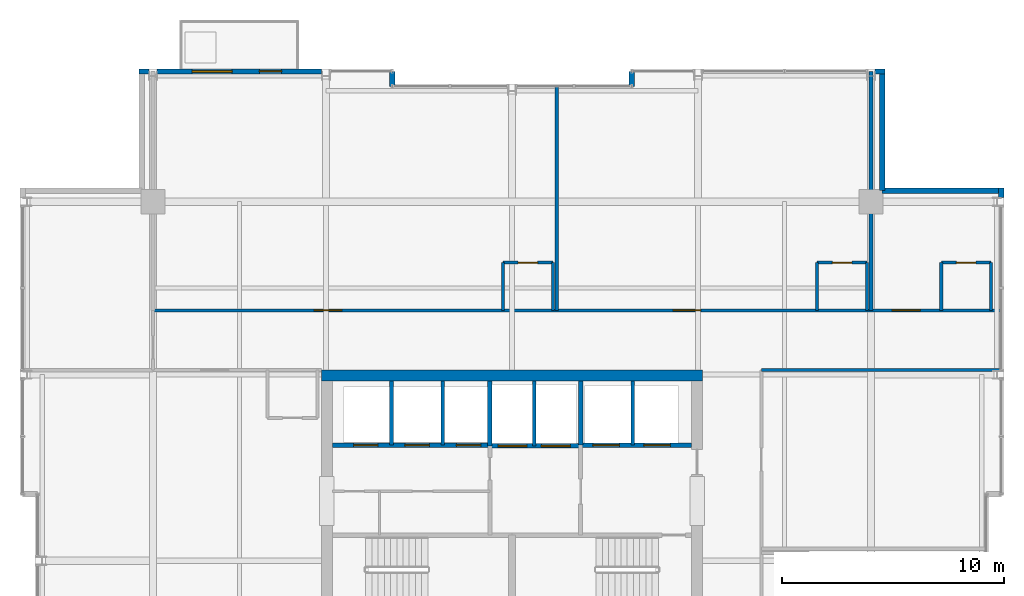
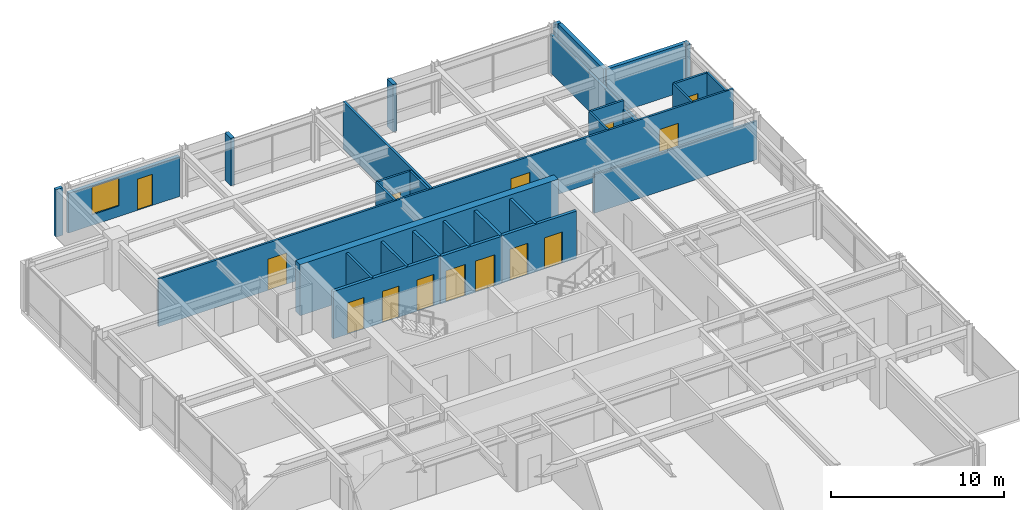
# One storey, part 28 of 32: 31 walls, 14 doors, 1 window, 15 openings.
"""IFC4 building model written with IfcOpenShell, lengths in metres."""

from ifc_helpers import new_model, si_unit, direction, frame, frame_2d, origin, place, context, subcontext, project, spatial, rectangle, extrude, material, layer, layer_set, type_object, element, fill, save


model = new_model("IFC4")

# Units and contexts
model_context = context("Model", 3, precision=1e-05, world=origin(), true_north=direction((0.0, 1.0)))
body_context = subcontext(model_context, "Body", "Model", "MODEL_VIEW")
ifc_project = project(units=[si_unit("LENGTHUNIT", "METRE"), si_unit("AREAUNIT", "SQUARE_METRE"), si_unit("VOLUMEUNIT", "CUBIC_METRE"), si_unit("PLANEANGLEUNIT", "RADIAN"), si_unit("MASSUNIT", "GRAM", prefix="KILO")], contexts=[model_context])

# Site, building, storey
site_placement = place(None, origin())
site = spatial("IfcSite", under=ifc_project, at=site_placement, CompositionType="ELEMENT")
building_placement = place(site_placement, origin())
building = spatial("IfcBuilding", under=site, at=building_placement, Name="Drelvath Grand Hotel", CompositionType="ELEMENT")
storey_placement = place(building_placement, frame((0.0, 0.0, 223.10009765625)))
storey = spatial("IfcBuildingStorey", under=building, at=storey_placement, Name="L58", CompositionType="ELEMENT", Elevation=223.10009765625)

# Wall, openings, doors
ifc_material_1 = material(Name="Concrete C40/50", Category="concrete")
ifc_layer_1 = layer(ifc_material_1, 0.199951171875)
ifc_layer_set_1 = layer_set([ifc_layer_1], Name="Concrete C40/50")
wall_type_1 = type_object("IfcWallType", Name="Core Hoistway Fire Wall 200", PredefinedType="SOLIDWALL", material=ifc_layer_set_1)
wall_1_placement = place(storey_placement, frame((3.10009765625, 32.219970703125, 0.0), z_axis=(0.0, 0.0, 1.0), x_axis=(1.0, 0.0, 0.0)))
wall_1 = element("IfcWall", 1, at=wall_1_placement, inside=storey, type_object=wall_type_1, Name="L58 FSAE Hoistway Front Wall", PredefinedType="SOLIDWALL", context=body_context, shape_type="SweptSolid", body=[
    extrude(rectangle(XDim=5.0, YDim=0.199951171875, at=frame_2d((2.5, 0.0))), origin(), (0.0, 0.0, 1.0), 3.33984375),
])
opening_1_placement = place(wall_1_placement, frame((0.550048828125, 0.0, 0.0)))
opening_1 = element("IfcOpeningElement", 2, at=opening_1_placement, cuts=wall_1, Name="Opening LD-FSAE-1", PredefinedType="OPENING", context=body_context, shape_type="SweptSolid", body=[
    extrude(rectangle(XDim=1.199951171875, YDim=2.199951171875, at=frame_2d((0.60009765625, 1.10009765625))), frame((0.0, 0.10986328125, 0.0), z_axis=(0.0, -1.0, 0.0), x_axis=(1.0, 0.0, 0.0)), (0.0, 0.0, 1.0), 0.219970703125),
])
opening_2_placement = place(wall_1_placement, frame((2.85009765625, 0.0, 0.0)))
opening_2 = element("IfcOpeningElement", 3, at=opening_2_placement, cuts=wall_1, Name="Opening LD-FSAE-2", PredefinedType="OPENING", context=body_context, shape_type="SweptSolid", body=[
    extrude(rectangle(XDim=1.199951171875, YDim=2.199951171875, at=frame_2d((0.60009765625, 1.10009765625))), frame((0.0, 0.10986328125, 0.0), z_axis=(0.0, -1.0, 0.0), x_axis=(1.0, 0.0, 0.0)), (0.0, 0.0, 1.0), 0.219970703125),
])
ifc_material_2 = material(Name="Stainless Steel S355", Category="steel")
door_type_1 = type_object("IfcDoorType", Name="FSAE Lift Sliding Landing Door 1200x2200", OperationType="NOTDEFINED", PredefinedType="DOOR", material=ifc_material_2)
door_1_placement = place(opening_1_placement, origin())
door_1 = element("IfcDoor", 4, at=door_1_placement, inside=storey, type_object=door_type_1, Name="L58 Lift FSAE-1 Landing Door", OperationType="SLIDING_TO_LEFT", OverallHeight=2.199951171875, OverallWidth=1.199951171875, PredefinedType="DOOR", context=body_context, shape_type="SweptSolid", body=[
    extrude(rectangle(XDim=1.199951171875, YDim=2.199951171875, at=frame_2d((0.60009765625, 1.10009765625))), frame((0.0, 0.02490234375, 0.0), z_axis=(0.0, -1.0, 0.0), x_axis=(1.0, 0.0, 0.0)), (0.0, 0.0, 1.0), 0.050048828125),
])
fill(opening_1, door_1)
door_2_placement = place(opening_2_placement, origin())
door_2 = element("IfcDoor", 5, at=door_2_placement, inside=storey, type_object=door_type_1, Name="L58 Lift FSAE-2 Landing Door", OperationType="SLIDING_TO_LEFT", OverallHeight=2.199951171875, OverallWidth=1.199951171875, PredefinedType="DOOR", context=body_context, shape_type="SweptSolid", body=[
    extrude(rectangle(XDim=1.199951171875, YDim=2.199951171875, at=frame_2d((0.60009765625, 1.10009765625))), frame((0.0, 0.02490234375, 0.0), z_axis=(0.0, -1.0, 0.0), x_axis=(1.0, 0.0, 0.0)), (0.0, 0.0, 1.0), 0.050048828125),
])
fill(opening_2, door_2)

# Wall
wall_2_placement = place(storey_placement, frame((3.10009765625, 32.219970703125, 0.0), z_axis=(0.0, 0.0, 1.0), x_axis=(0.0, 1.0, 0.0)))
element("IfcWall", 6, at=wall_2_placement, inside=storey, type_object=wall_type_1, Name="L58 FSAE Hoistway West Wall", PredefinedType="SOLIDWALL", context=body_context, shape_type="SweptSolid", body=[
    extrude(rectangle(XDim=2.880126953125, YDim=0.199951171875, at=frame_2d((1.43994140625, 0.0))), origin(), (0.0, 0.0, 1.0), 3.33984375),
])

# Wall, openings, doors
wall_3_placement = place(storey_placement, frame((-1.0, 32.179931640625, 0.0), z_axis=(0.0, 0.0, 1.0), x_axis=(1.0, 0.0, 0.0)))
wall_3 = element("IfcWall", 7, at=wall_3_placement, inside=storey, type_object=wall_type_1, Name="L58 Service Lift Hoistway Wall", PredefinedType="SOLIDWALL", context=body_context, shape_type="SweptSolid", body=[
    extrude(rectangle(XDim=4.10009765625, YDim=0.199951171875, at=frame_2d((2.050048828125, 0.0))), origin(), (0.0, 0.0, 1.0), 3.33984375),
])
opening_3_placement = place(wall_3_placement, frame((0.3701171875, 0.0, 0.0)))
opening_3 = element("IfcOpeningElement", 8, at=opening_3_placement, cuts=wall_3, Name="Opening LD-SV-2", PredefinedType="OPENING", context=body_context, shape_type="SweptSolid", body=[
    extrude(rectangle(XDim=1.300048828125, YDim=2.199951171875, at=frame_2d((0.64990234375, 1.10009765625))), frame((0.0, 0.10986328125, 0.0), z_axis=(0.0, -1.0, 0.0), x_axis=(1.0, 0.0, 0.0)), (0.0, 0.0, 1.0), 0.219970703125),
])
opening_4_placement = place(wall_3_placement, frame((2.330078125, 0.0, 0.0)))
opening_4 = element("IfcOpeningElement", 9, at=opening_4_placement, cuts=wall_3, Name="Opening LD-SV-1", PredefinedType="OPENING", context=body_context, shape_type="SweptSolid", body=[
    extrude(rectangle(XDim=1.300048828125, YDim=2.199951171875, at=frame_2d((0.64990234375, 1.10009765625))), frame((0.0, 0.10986328125, 0.0), z_axis=(0.0, -1.0, 0.0), x_axis=(1.0, 0.0, 0.0)), (0.0, 0.0, 1.0), 0.219970703125),
])
door_type_2 = type_object("IfcDoorType", Name="Service Lift Sliding Landing Door 1300x2200", OperationType="NOTDEFINED", PredefinedType="DOOR", material=ifc_material_2)
door_3_placement = place(opening_3_placement, origin())
door_3 = element("IfcDoor", 10, at=door_3_placement, inside=storey, type_object=door_type_2, Name="L58 Lift SV-2 Landing Door", OperationType="SLIDING_TO_LEFT", OverallHeight=2.199951171875, OverallWidth=1.300048828125, PredefinedType="DOOR", context=body_context, shape_type="SweptSolid", body=[
    extrude(rectangle(XDim=1.300048828125, YDim=2.199951171875, at=frame_2d((0.64990234375, 1.10009765625))), frame((0.0, 0.02490234375, 0.0), z_axis=(0.0, -1.0, 0.0), x_axis=(1.0, 0.0, 0.0)), (0.0, 0.0, 1.0), 0.050048828125),
])
fill(opening_3, door_3)
door_4_placement = place(opening_4_placement, origin())
door_4 = element("IfcDoor", 11, at=door_4_placement, inside=storey, type_object=door_type_2, Name="L58 Lift SV-1 Landing Door", OperationType="SLIDING_TO_LEFT", OverallHeight=2.199951171875, OverallWidth=1.300048828125, PredefinedType="DOOR", context=body_context, shape_type="SweptSolid", body=[
    extrude(rectangle(XDim=1.300048828125, YDim=2.199951171875, at=frame_2d((0.64990234375, 1.10009765625))), frame((0.0, 0.02490234375, 0.0), z_axis=(0.0, -1.0, 0.0), x_axis=(1.0, 0.0, 0.0)), (0.0, 0.0, 1.0), 0.050048828125),
])
fill(opening_4, door_4)

# Wall
wall_4_placement = place(storey_placement, frame((-1.0, 32.179931640625, 0.0), z_axis=(0.0, 0.0, 1.0), x_axis=(0.0, 1.0, 0.0)))
element("IfcWall", 12, at=wall_4_placement, inside=storey, type_object=wall_type_1, Name="L58 Service Lift West Wall", PredefinedType="SOLIDWALL", context=body_context, shape_type="SweptSolid", body=[
    extrude(rectangle(XDim=2.920166015625, YDim=0.199951171875, at=frame_2d((1.4599609375, 0.0))), origin(), (0.0, 0.0, 1.0), 3.33984375),
])

# Wall, openings, doors
wall_5_placement = place(storey_placement, frame((-8.10009765625, 32.219970703125, 0.0), z_axis=(0.0, 0.0, 1.0), x_axis=(1.0, 0.0, 0.0)))
wall_5 = element("IfcWall", 13, at=wall_5_placement, inside=storey, type_object=wall_type_1, Name="L58 Bank 3 Hoistway Wall", PredefinedType="SOLIDWALL", context=body_context, shape_type="SweptSolid", body=[
    extrude(rectangle(XDim=7.10009765625, YDim=0.199951171875, at=frame_2d((3.550048828125, 0.0))), origin(), (0.0, 0.0, 1.0), 3.33984375),
])
opening_5_placement = place(wall_5_placement, frame((0.949951171875, 0.0, 0.0)))
opening_5 = element("IfcOpeningElement", 14, at=opening_5_placement, cuts=wall_5, Name="Opening LD-PE-7", PredefinedType="OPENING", context=body_context, shape_type="SweptSolid", body=[
    extrude(rectangle(XDim=1.10009765625, YDim=2.199951171875, at=frame_2d((0.550048828125, 1.10009765625))), frame((0.0, 0.10986328125, 0.0), z_axis=(0.0, -1.0, 0.0), x_axis=(1.0, 0.0, 0.0)), (0.0, 0.0, 1.0), 0.219970703125),
])
opening_6_placement = place(wall_5_placement, frame((3.27001953125, 0.0, 0.0)))
opening_6 = element("IfcOpeningElement", 15, at=opening_6_placement, cuts=wall_5, Name="Opening LD-PE-8", PredefinedType="OPENING", context=body_context, shape_type="SweptSolid", body=[
    extrude(rectangle(XDim=1.10009765625, YDim=2.199951171875, at=frame_2d((0.550048828125, 1.10009765625))), frame((0.0, 0.10986328125, 0.0), z_axis=(0.0, -1.0, 0.0), x_axis=(1.0, 0.0, 0.0)), (0.0, 0.0, 1.0), 0.219970703125),
])
opening_7_placement = place(wall_5_placement, frame((5.590087890625, 0.0, 0.0)))
opening_7 = element("IfcOpeningElement", 16, at=opening_7_placement, cuts=wall_5, Name="Opening LD-PE-9", PredefinedType="OPENING", context=body_context, shape_type="SweptSolid", body=[
    extrude(rectangle(XDim=1.10009765625, YDim=2.199951171875, at=frame_2d((0.550048828125, 1.10009765625))), frame((0.0, 0.10986328125, 0.0), z_axis=(0.0, -1.0, 0.0), x_axis=(1.0, 0.0, 0.0)), (0.0, 0.0, 1.0), 0.219970703125),
])
door_type_3 = type_object("IfcDoorType", Name="Passenger Lift Sliding Landing Door 1100x2200", OperationType="NOTDEFINED", PredefinedType="DOOR", material=ifc_material_2)
door_5_placement = place(opening_5_placement, origin())
door_5 = element("IfcDoor", 17, at=door_5_placement, inside=storey, type_object=door_type_3, Name="L58 Lift PE-7 Landing Door", OperationType="SLIDING_TO_LEFT", OverallHeight=2.199951171875, OverallWidth=1.10009765625, PredefinedType="DOOR", context=body_context, shape_type="SweptSolid", body=[
    extrude(rectangle(XDim=1.10009765625, YDim=2.199951171875, at=frame_2d((0.550048828125, 1.10009765625))), frame((0.0, 0.02490234375, 0.0), z_axis=(0.0, -1.0, 0.0), x_axis=(1.0, 0.0, 0.0)), (0.0, 0.0, 1.0), 0.050048828125),
])
fill(opening_5, door_5)
door_6_placement = place(opening_6_placement, origin())
door_6 = element("IfcDoor", 18, at=door_6_placement, inside=storey, type_object=door_type_3, Name="L58 Lift PE-8 Landing Door", OperationType="SLIDING_TO_LEFT", OverallHeight=2.199951171875, OverallWidth=1.10009765625, PredefinedType="DOOR", context=body_context, shape_type="SweptSolid", body=[
    extrude(rectangle(XDim=1.10009765625, YDim=2.199951171875, at=frame_2d((0.550048828125, 1.10009765625))), frame((0.0, 0.02490234375, 0.0), z_axis=(0.0, -1.0, 0.0), x_axis=(1.0, 0.0, 0.0)), (0.0, 0.0, 1.0), 0.050048828125),
])
fill(opening_6, door_6)
door_7_placement = place(opening_7_placement, origin())
door_7 = element("IfcDoor", 19, at=door_7_placement, inside=storey, type_object=door_type_3, Name="L58 Lift PE-9 Landing Door", OperationType="SLIDING_TO_LEFT", OverallHeight=2.199951171875, OverallWidth=1.10009765625, PredefinedType="DOOR", context=body_context, shape_type="SweptSolid", body=[
    extrude(rectangle(XDim=1.10009765625, YDim=2.199951171875, at=frame_2d((0.550048828125, 1.10009765625))), frame((0.0, 0.02490234375, 0.0), z_axis=(0.0, -1.0, 0.0), x_axis=(1.0, 0.0, 0.0)), (0.0, 0.0, 1.0), 0.050048828125),
])
fill(opening_7, door_7)

# Walls
ifc_material_3 = material(Name="Gypsum Fireboard Partition")
ifc_layer_2 = layer(ifc_material_3, 0.1650390625)
ifc_layer_set_2 = layer_set([ifc_layer_2], Name="Gypsum Fireboard Partition")
wall_type_2 = type_object("IfcWallType", Name="Core Shaft Partition 165", PredefinedType="PARTITIONING", material=ifc_layer_set_2)
wall_6_placement = place(storey_placement, frame((5.449951171875, 32.219970703125, 0.0), z_axis=(0.0, 0.0, 1.0), x_axis=(0.0, 1.0, 0.0)))
element("IfcWall", 20, at=wall_6_placement, inside=storey, type_object=wall_type_2, Name="L58 FSAE Hoistway Divider", PredefinedType="PARTITIONING", context=body_context, shape_type="SweptSolid", body=[
    extrude(rectangle(XDim=2.880126953125, YDim=0.1650390625, at=frame_2d((1.43994140625, 0.0))), origin(), (0.0, 0.0, 1.0), 3.33984375),
])
wall_7_placement = place(storey_placement, frame((1.0, 32.179931640625, 0.0), z_axis=(0.0, 0.0, 1.0), x_axis=(0.0, 1.0, 0.0)))
element("IfcWall", 21, at=wall_7_placement, inside=storey, type_object=wall_type_2, Name="L58 Service Lift Divider", PredefinedType="PARTITIONING", context=body_context, shape_type="SweptSolid", body=[
    extrude(rectangle(XDim=2.920166015625, YDim=0.1650390625, at=frame_2d((1.4599609375, 0.0))), origin(), (0.0, 0.0, 1.0), 3.33984375),
])
for number, where, z_axis, x_axis, name in (
    (22, (-5.43994140625, 32.219970703125, 0.0), (0.0, 0.0, 1.0), (0.0, 1.0, 0.0), "L58 Lift PE-7/8 Divider"),
    (23, (-3.1201171875, 32.219970703125, 0.0), (0.0, 0.0, 1.0), (0.0, 1.0, 0.0), "L58 Lift PE-8/9 Divider"),
):
    element("IfcWall", number, at=place(storey_placement, frame(where, z_axis=z_axis, x_axis=x_axis)), inside=storey, type_object=wall_type_2, Name=name, PredefinedType="PARTITIONING", context=body_context, shape_type="SweptSolid", body=[
        extrude(rectangle(XDim=2.880126953125, YDim=0.1650390625, at=frame_2d((1.43994140625, 0.0))), origin(), (0.0, 0.0, 1.0), 3.33984375),
    ])

# Wall, openings, doors
ifc_layer_3 = layer(ifc_material_3, 0.135009765625)
ifc_layer_set_3 = layer_set([ifc_layer_3], Name="Gypsum Fireboard Partition")
wall_type_3 = type_object("IfcWallType", Name="Corridor Fire Barrier Wall 135", PredefinedType="PARTITIONING", material=ifc_layer_set_3)
wall_8_placement = place(storey_placement, frame((-16.199951171875, 38.300048828125, 0.0), z_axis=(0.0, 0.0, 1.0), x_axis=(1.0, 0.0, 0.0)))
wall_8 = element("IfcWall", 24, at=wall_8_placement, inside=storey, type_object=wall_type_3, Name="L58 North Cross-Gallery Wall", PredefinedType="PARTITIONING", context=body_context, shape_type="SweptSolid", body=[
    extrude(rectangle(XDim=38.280029296875, YDim=0.135009765625, at=frame_2d((19.14013671875, 0.0))), origin(), (0.0, 0.0, 1.0), 3.33984375),
])
opening_8_placement = place(wall_8_placement, frame((33.35498046875, 0.0, 0.0)))
opening_8 = element("IfcOpeningElement", 25, at=opening_8_placement, cuts=wall_8, Name="Opening D-T4G2-025", PredefinedType="OPENING", context=body_context, shape_type="SweptSolid", body=[
    extrude(rectangle(XDim=1.260009765625, YDim=2.199951171875, at=frame_2d((0.6298828125, 1.10009765625))), frame((0.0, 0.077392578125, 0.0), z_axis=(0.0, -1.0, 0.0), x_axis=(1.0, 0.0, 0.0)), (0.0, 0.0, 1.0), 0.155029296875),
])
opening_9_placement = place(wall_8_placement, frame((7.267578125, 0.0, 0.0)))
opening_9 = element("IfcOpeningElement", 26, at=opening_9_placement, cuts=wall_8, Name="Opening D-T4G2-032", PredefinedType="OPENING", context=body_context, shape_type="SweptSolid", body=[
    extrude(rectangle(XDim=1.260009765625, YDim=2.199951171875, at=frame_2d((0.6298828125, 1.10009765625))), frame((0.0, 0.077392578125, 0.0), z_axis=(0.0, -1.0, 0.0), x_axis=(1.0, 0.0, 0.0)), (0.0, 0.0, 1.0), 0.155029296875),
])
opening_10_placement = place(wall_8_placement, frame((23.467529296875, 0.0, 0.0)))
opening_10 = element("IfcOpeningElement", 27, at=opening_10_placement, cuts=wall_8, Name="Opening D-T4G2-034", PredefinedType="OPENING", context=body_context, shape_type="SweptSolid", body=[
    extrude(rectangle(XDim=1.260009765625, YDim=2.199951171875, at=frame_2d((0.6298828125, 1.10009765625))), frame((0.0, 0.077392578125, 0.0), z_axis=(0.0, -1.0, 0.0), x_axis=(1.0, 0.0, 0.0)), (0.0, 0.0, 1.0), 0.155029296875),
])
ifc_material_4 = material(Name="Hardwood Walnut Timber", Category="wood")
door_type_4 = type_object("IfcDoorType", Name="Suite Entrance Fire Door 1260x2200", OperationType="NOTDEFINED", PredefinedType="DOOR", material=ifc_material_4)
door_8_placement = place(opening_8_placement, origin())
door_8 = element("IfcDoor", 28, at=door_8_placement, inside=storey, type_object=door_type_4, Name="L58 Diplomatic Suite Entry Door", OperationType="SINGLE_SWING_RIGHT", OverallHeight=2.199951171875, OverallWidth=1.260009765625, PredefinedType="DOOR", context=body_context, shape_type="SweptSolid", body=[
    extrude(rectangle(XDim=1.260009765625, YDim=2.199951171875, at=frame_2d((0.6298828125, 1.10009765625))), frame((0.0, 0.02490234375, 0.0), z_axis=(0.0, -1.0, 0.0), x_axis=(1.0, 0.0, 0.0)), (0.0, 0.0, 1.0), 0.050048828125),
])
fill(opening_8, door_8)
door_9_placement = place(opening_9_placement, origin())
door_9 = element("IfcDoor", 29, at=door_9_placement, inside=storey, type_object=door_type_4, Name="L58 Diplomatic Suite Entry Door", OperationType="SINGLE_SWING_LEFT", OverallHeight=2.199951171875, OverallWidth=1.260009765625, PredefinedType="DOOR", context=body_context, shape_type="SweptSolid", body=[
    extrude(rectangle(XDim=1.260009765625, YDim=2.199951171875, at=frame_2d((0.6298828125, 1.10009765625))), frame((0.0, 0.02490234375, 0.0), z_axis=(0.0, -1.0, 0.0), x_axis=(1.0, 0.0, 0.0)), (0.0, 0.0, 1.0), 0.050048828125),
])
fill(opening_9, door_9)
door_10_placement = place(opening_10_placement, origin())
door_10 = element("IfcDoor", 30, at=door_10_placement, inside=storey, type_object=door_type_4, Name="L58 Diplomatic Suite Entry Door", OperationType="SINGLE_SWING_LEFT", OverallHeight=2.199951171875, OverallWidth=1.260009765625, PredefinedType="DOOR", context=body_context, shape_type="SweptSolid", body=[
    extrude(rectangle(XDim=1.260009765625, YDim=2.199951171875, at=frame_2d((0.6298828125, 1.10009765625))), frame((0.0, 0.02490234375, 0.0), z_axis=(0.0, -1.0, 0.0), x_axis=(1.0, 0.0, 0.0)), (0.0, 0.0, 1.0), 0.050048828125),
])
fill(opening_10, door_10)

# Walls
wall_9_placement = place(storey_placement, frame((11.25, 35.60009765625, 0.0), z_axis=(0.0, 0.0, 1.0), x_axis=(1.0, 0.0, 0.0)))
element("IfcWall", 31, at=wall_9_placement, inside=storey, type_object=wall_type_3, Name="L58 North Gallery Inner East Wall", PredefinedType="PARTITIONING", context=body_context, shape_type="SweptSolid", body=[
    extrude(rectangle(XDim=10.830078125, YDim=0.135009765625, at=frame_2d((5.4150390625, 0.0))), origin(), (0.0, 0.0, 1.0), 2.71728515625),
])
ifc_material_5 = material(Name="Moisture-Resistant Gypsum Board")
ifc_layer_4 = layer(ifc_material_5, 0.139892578125)
ifc_layer_set_4 = layer_set([ifc_layer_4], Name="Moisture-Resistant Gypsum Board")
wall_type_4 = type_object("IfcWallType", Name="En-Suite Plumbing Wall 140", PredefinedType="PLUMBINGWALL", material=ifc_layer_set_4)
for number, where, z_axis, x_axis, name in (
    (32, (19.3701171875, 38.300048828125, 0.0), (0.0, 0.0, 1.0), (0.0, 1.0, 0.0), "L58 En-Suite Left Wall"),
    (33, (21.6201171875, 38.300048828125, 0.0), (0.0, 0.0, 1.0), (0.0, 1.0, 0.0), "L58 En-Suite Right Wall"),
):
    element("IfcWall", number, at=place(storey_placement, frame(where, z_axis=z_axis, x_axis=x_axis)), inside=storey, type_object=wall_type_4, Name=name, PredefinedType="PLUMBINGWALL", context=body_context, shape_type="SweptSolid", body=[
        extrude(rectangle(XDim=2.14990234375, YDim=0.139892578125, at=frame_2d((1.074951171875, 0.0))), origin(), (0.0, 0.0, 1.0), 3.33984375),
    ])

# Wall, opening, door
wall_10_placement = place(storey_placement, frame((19.3701171875, 40.449951171875, 0.0), z_axis=(0.0, 0.0, 1.0), x_axis=(1.0, 0.0, 0.0)))
wall_10 = element("IfcWall", 34, at=wall_10_placement, inside=storey, type_object=wall_type_4, Name="L58 En-Suite Front Wall", PredefinedType="PLUMBINGWALL", context=body_context, shape_type="SweptSolid", body=[
    extrude(rectangle(XDim=2.25, YDim=0.139892578125, at=frame_2d((1.125, 0.0))), origin(), (0.0, 0.0, 1.0), 3.33984375),
])
opening_11_placement = place(wall_10_placement, frame((0.68505859375, 0.0, 0.0)))
opening_11 = element("IfcOpeningElement", 35, at=opening_11_placement, cuts=wall_10, Name="Opening D-T4G2-024", PredefinedType="OPENING", context=body_context, shape_type="SweptSolid", body=[
    extrude(rectangle(XDim=0.8798828125, YDim=2.10009765625, at=frame_2d((0.43994140625, 1.050048828125))), frame((0.0, 0.079833984375, 0.0), z_axis=(0.0, -1.0, 0.0), x_axis=(1.0, 0.0, 0.0)), (0.0, 0.0, 1.0), 0.159912109375),
])
door_type_5 = type_object("IfcDoorType", Name="En-Suite Bathroom Door 880x2100", OperationType="NOTDEFINED", PredefinedType="DOOR", material=ifc_material_4)
door_11_placement = place(opening_11_placement, origin())
door_11 = element("IfcDoor", 36, at=door_11_placement, inside=storey, type_object=door_type_5, Name="L58 En-Suite Bathroom Door", OperationType="SINGLE_SWING_LEFT", OverallHeight=2.10009765625, OverallWidth=0.8798828125, PredefinedType="DOOR", context=body_context, shape_type="SweptSolid", body=[
    extrude(rectangle(XDim=0.8798828125, YDim=2.10009765625, at=frame_2d((0.43994140625, 1.050048828125))), frame((0.0, 0.02490234375, 0.0), z_axis=(0.0, -1.0, 0.0), x_axis=(1.0, 0.0, 0.0)), (0.0, 0.0, 1.0), 0.050048828125),
])
fill(opening_11, door_11)

# Walls
for number, where, z_axis, x_axis, name in (
    (37, (-0.405029296875, 38.300048828125, 0.0), (0.0, 0.0, 1.0), (0.0, 1.0, 0.0), "L58 En-Suite Left Wall"),
    (38, (1.844970703125, 38.300048828125, 0.0), (0.0, 0.0, 1.0), (0.0, 1.0, 0.0), "L58 En-Suite Right Wall"),
):
    element("IfcWall", number, at=place(storey_placement, frame(where, z_axis=z_axis, x_axis=x_axis)), inside=storey, type_object=wall_type_4, Name=name, PredefinedType="PLUMBINGWALL", context=body_context, shape_type="SweptSolid", body=[
        extrude(rectangle(XDim=2.14990234375, YDim=0.139892578125, at=frame_2d((1.074951171875, 0.0))), origin(), (0.0, 0.0, 1.0), 3.33984375),
    ])

# Wall, opening, door
wall_11_placement = place(storey_placement, frame((-0.405029296875, 40.449951171875, 0.0), z_axis=(0.0, 0.0, 1.0), x_axis=(1.0, 0.0, 0.0)))
wall_11 = element("IfcWall", 39, at=wall_11_placement, inside=storey, type_object=wall_type_4, Name="L58 En-Suite Front Wall", PredefinedType="PLUMBINGWALL", context=body_context, shape_type="SweptSolid", body=[
    extrude(rectangle(XDim=2.25, YDim=0.139892578125, at=frame_2d((1.125, 0.0))), origin(), (0.0, 0.0, 1.0), 3.33984375),
])
opening_12_placement = place(wall_11_placement, frame((0.68505859375, 0.0, 0.0)))
opening_12 = element("IfcOpeningElement", 40, at=opening_12_placement, cuts=wall_11, Name="Opening D-T4G2-031", PredefinedType="OPENING", context=body_context, shape_type="SweptSolid", body=[
    extrude(rectangle(XDim=0.8798828125, YDim=2.10009765625, at=frame_2d((0.43994140625, 1.050048828125))), frame((0.0, 0.079833984375, 0.0), z_axis=(0.0, -1.0, 0.0), x_axis=(1.0, 0.0, 0.0)), (0.0, 0.0, 1.0), 0.159912109375),
])
door_12_placement = place(opening_12_placement, origin())
door_12 = element("IfcDoor", 41, at=door_12_placement, inside=storey, type_object=door_type_5, Name="L58 En-Suite Bathroom Door", OperationType="SINGLE_SWING_RIGHT", OverallHeight=2.10009765625, OverallWidth=0.8798828125, PredefinedType="DOOR", context=body_context, shape_type="SweptSolid", body=[
    extrude(rectangle(XDim=0.8798828125, YDim=2.10009765625, at=frame_2d((0.43994140625, 1.050048828125))), frame((0.0, 0.02490234375, 0.0), z_axis=(0.0, -1.0, 0.0), x_axis=(1.0, 0.0, 0.0)), (0.0, 0.0, 1.0), 0.050048828125),
])
fill(opening_12, door_12)

# Walls
wall_12_placement = place(storey_placement, frame((13.77001953125, 38.300048828125, 0.0), z_axis=(0.0, 0.0, 1.0), x_axis=(0.0, 1.0, 0.0)))
element("IfcWall", 42, at=wall_12_placement, inside=storey, type_object=wall_type_4, Name="L58 En-Suite Left Wall", PredefinedType="PLUMBINGWALL", context=body_context, shape_type="SweptSolid", body=[
    extrude(rectangle(XDim=2.14990234375, YDim=0.139892578125, at=frame_2d((1.074951171875, 0.0))), origin(), (0.0, 0.0, 1.0), 3.33984375),
])
wall_13_placement = place(storey_placement, frame((16.02001953125, 38.300048828125, 0.0), z_axis=(0.0, 0.0, 1.0), x_axis=(0.0, 1.0, 0.0)))
element("IfcWall", 43, at=wall_13_placement, inside=storey, type_object=wall_type_4, Name="L58 En-Suite Right Wall", PredefinedType="PLUMBINGWALL", context=body_context, shape_type="SweptSolid", body=[
    extrude(rectangle(XDim=2.14990234375, YDim=0.139892578125, at=frame_2d((1.074951171875, 0.0))), origin(), (0.0, 0.0, 1.0), 2.713623046875),
])

# Wall, opening, door
wall_14_placement = place(storey_placement, frame((13.77001953125, 40.449951171875, 0.0), z_axis=(0.0, 0.0, 1.0), x_axis=(1.0, 0.0, 0.0)))
wall_14 = element("IfcWall", 44, at=wall_14_placement, inside=storey, type_object=wall_type_4, Name="L58 En-Suite Front Wall", PredefinedType="PLUMBINGWALL", context=body_context, shape_type="SweptSolid", body=[
    extrude(rectangle(XDim=2.25, YDim=0.139892578125, at=frame_2d((1.125, 0.0))), origin(), (0.0, 0.0, 1.0), 3.33984375),
])
opening_13_placement = place(wall_14_placement, frame((0.68505859375, 0.0, 0.0)))
opening_13 = element("IfcOpeningElement", 45, at=opening_13_placement, cuts=wall_14, Name="Opening D-T4G2-033", PredefinedType="OPENING", context=body_context, shape_type="SweptSolid", body=[
    extrude(rectangle(XDim=0.8798828125, YDim=2.10009765625, at=frame_2d((0.43994140625, 1.050048828125))), frame((0.0, 0.079833984375, 0.0), z_axis=(0.0, -1.0, 0.0), x_axis=(1.0, 0.0, 0.0)), (0.0, 0.0, 1.0), 0.159912109375),
])
door_13_placement = place(opening_13_placement, origin())
door_13 = element("IfcDoor", 46, at=door_13_placement, inside=storey, type_object=door_type_5, Name="L58 En-Suite Bathroom Door", OperationType="SINGLE_SWING_RIGHT", OverallHeight=2.10009765625, OverallWidth=0.8798828125, PredefinedType="DOOR", context=body_context, shape_type="SweptSolid", body=[
    extrude(rectangle(XDim=0.8798828125, YDim=2.10009765625, at=frame_2d((0.43994140625, 1.050048828125))), frame((0.0, 0.02490234375, 0.0), z_axis=(0.0, -1.0, 0.0), x_axis=(1.0, 0.0, 0.0)), (0.0, 0.0, 1.0), 0.050048828125),
])
fill(opening_13, door_13)

# Walls
ifc_material_6 = material(Name="Gypsum Acoustic Partition")
ifc_layer_5 = layer(ifc_material_6, 0.14990234375)
ifc_layer_set_5 = layer_set([ifc_layer_5], Name="Gypsum Acoustic Partition")
wall_type_5 = type_object("IfcWallType", Name="Guestroom Demising Wall 150", PredefinedType="PARTITIONING", material=ifc_layer_set_5)
wall_15_placement = place(storey_placement, frame((2.02490234375, 38.300048828125, 0.0), z_axis=(0.0, 0.0, 1.0), x_axis=(0.0, 1.0, 0.0)))
element("IfcWall", 47, at=wall_15_placement, inside=storey, type_object=wall_type_5, Name="L58 North Demising 1", PredefinedType="PARTITIONING", context=body_context, shape_type="SweptSolid", body=[
    extrude(rectangle(XDim=10.099853515625, YDim=0.14990234375, at=frame_2d((5.0498046875, 0.0))), origin(), (0.0, 0.0, 1.0), 3.33984375),
])
ifc_layer_6 = layer(ifc_material_6, 0.1650390625)
ifc_layer_set_6 = layer_set([ifc_layer_6], Name="Gypsum Acoustic Partition")
wall_type_6 = type_object("IfcWallType", Name="Suite Demising Wall 165", PredefinedType="PARTITIONING", material=ifc_layer_set_6)
wall_16_placement = place(storey_placement, frame((16.199951171875, 38.300048828125, 0.0), z_axis=(0.0, 0.0, 1.0), x_axis=(0.0, 1.0, 0.0)))
element("IfcWall", 48, at=wall_16_placement, inside=storey, type_object=wall_type_6, Name="L58 NE Suite Wall", PredefinedType="PARTITIONING", context=body_context, shape_type="SweptSolid", body=[
    extrude(rectangle(XDim=10.780029296875, YDim=0.1650390625, at=frame_2d((5.39013671875, 0.0))), origin(), (0.0, 0.0, 1.0), 2.713623046875),
])
ifc_material_7 = material(Name="Pale-Metal Insulated Aluminium Spandrel Assembly", Category="aluminium")
ifc_layer_7 = layer(ifc_material_7, 0.239990234375)
ifc_layer_set_7 = layer_set([ifc_layer_7], Name="Pale-Metal Insulated Aluminium Spandrel Assembly")
wall_type_7 = type_object("IfcWallType", Name="Tower Insulated Metal Spandrel Closure Wall 240", PredefinedType="STANDARD", material=ifc_layer_set_7)
for number, where, z_axis, x_axis, name in (
    (49, (22.080078125, 43.820068359375, 0.0), (0.0, 0.0, 1.0), (0.0, -1.0, 0.0), "L58 Corner Pier Spandrel Wall EN3"),
    (50, (-16.820068359375, 49.080078125, 0.0), (0.0, 0.0, 1.0), (1.0, 0.0, 0.0), "L58 Corner Pier Spandrel Wall NW1"),
):
    element("IfcWall", number, at=place(storey_placement, frame(where, z_axis=z_axis, x_axis=x_axis)), inside=storey, type_object=wall_type_7, Name=name, PredefinedType="STANDARD", context=body_context, shape_type="SweptSolid", body=[
        extrude(rectangle(XDim=0.434814453125, YDim=0.239990234375, at=frame_2d((0.21728515625, 0.0))), origin(), (0.0, 0.0, 1.0), 3.33984375),
    ])

# Wall, openings, window, door
wall_17_placement = place(storey_placement, frame((-16.0146484375, 49.080078125, 0.0), z_axis=(0.0, 0.0, 1.0), x_axis=(1.0, 0.0, 0.0)))
wall_17 = element("IfcWall", 51, at=wall_17_placement, inside=storey, type_object=wall_type_7, Name="L58 Exterior Terrace Door Bay Wall NW2", PredefinedType="STANDARD", context=body_context, shape_type="SweptSolid", body=[
    extrude(rectangle(XDim=7.429443359375, YDim=0.239990234375, at=frame_2d((3.71484375, 0.0))), origin(), (0.0, 0.0, 1.0), 2.80322265625),
])
opening_14_placement = place(wall_17_placement, frame((4.61474609375, 0.0, 0.0)))
opening_14 = element("IfcOpeningElement", 52, at=opening_14_placement, cuts=wall_17, Name="Opening TD-1000", PredefinedType="OPENING", context=body_context, shape_type="SweptSolid", body=[
    extrude(rectangle(XDim=1.0, YDim=2.199951171875, at=frame_2d((0.5, 1.10009765625))), frame((0.0, 0.1298828125, 0.0), z_axis=(0.0, -1.0, 0.0), x_axis=(1.0, 0.0, 0.0)), (0.0, 0.0, 1.0), 0.260009765625),
])
opening_15_placement = place(wall_17_placement, frame((1.5830078125, 0.0, 0.75)))
opening_15 = element("IfcOpeningElement", 53, at=opening_15_placement, cuts=wall_17, Name="Opening W-02", PredefinedType="OPENING", context=body_context, shape_type="SweptSolid", body=[
    extrude(rectangle(XDim=1.800048828125, YDim=1.953369140625, at=frame_2d((0.89990234375, 0.9765625))), frame((0.0, 0.1298828125, 0.0), z_axis=(0.0, -1.0, 0.0), x_axis=(1.0, 0.0, 0.0)), (0.0, 0.0, 1.0), 0.260009765625),
])
ifc_material_8 = material(Name="Bronze Anodised Low-E Triple Glazing", Category="glass")
window_type = type_object("IfcWindowType", Name="Chicago Double-Pane Podium Window 1800x2400", PartitioningType="DOUBLE_PANEL_VERTICAL", PredefinedType="WINDOW", material=ifc_material_8)
window_placement = place(opening_15_placement, origin())
window = element("IfcWindow", 54, at=window_placement, inside=storey, type_object=window_type, Name="L58 Terrace Bay Companion Window NW2", OverallHeight=1.953369140625, OverallWidth=1.800048828125, PartitioningType="SINGLE_PANEL", PredefinedType="WINDOW", context=body_context, shape_type="SweptSolid", body=[
    extrude(rectangle(XDim=1.800048828125, YDim=1.953369140625, at=frame_2d((0.89990234375, 0.9765625))), frame((0.0, 0.030029296875, 0.0), z_axis=(0.0, -1.0, 0.0), x_axis=(1.0, 0.0, 0.0)), (0.0, 0.0, 1.0), 0.06005859375),
])
fill(opening_15, window)
ifc_material_9 = material(Name="Anodised Aluminium Thermally Broken Glazed Door", Category="aluminium")
door_type_6 = type_object("IfcDoorType", Name="Terrace and Tree Balcony Glazed Door 1000x2200", OperationType="NOTDEFINED", PredefinedType="DOOR", material=ifc_material_9)
door_14_placement = place(opening_14_placement, origin())
door_14 = element("IfcDoor", 55, at=door_14_placement, inside=storey, type_object=door_type_6, Name="L58 Tree Balcony Door DOOR-L58-TBAL-1", OperationType="SINGLE_SWING_LEFT", OverallHeight=2.199951171875, OverallWidth=1.0, PredefinedType="DOOR", context=body_context, shape_type="SweptSolid", body=[
    extrude(rectangle(XDim=1.0, YDim=2.199951171875, at=frame_2d((0.5, 1.10009765625))), frame((0.0, 0.02490234375, 0.0), z_axis=(0.0, -1.0, 0.0), x_axis=(1.0, 0.0, 0.0)), (0.0, 0.0, 1.0), 0.050048828125),
])
fill(opening_14, door_14)

# Walls
wall_18_placement = place(storey_placement, frame((16.38525390625, 49.080078125, 0.0), z_axis=(0.0, 0.0, 1.0), x_axis=(1.0, 0.0, 0.0)))
element("IfcWall", 56, at=wall_18_placement, inside=storey, type_object=wall_type_7, Name="L58 Corner Pier Spandrel Wall NE3", PredefinedType="STANDARD", context=body_context, shape_type="SweptSolid", body=[
    extrude(rectangle(XDim=0.434814453125, YDim=0.239990234375, at=frame_2d((0.21728515625, 0.0))), origin(), (0.0, 0.0, 1.0), 3.33984375),
])
for number, where, z_axis, x_axis, name in (
    (57, (16.699951171875, 48.9599609375, 0.0), (0.0, 0.0, 1.0), (0.0, -1.0, 0.0), "L58 Notched Corner Return Spandrel Wall CNE1"),
    (58, (16.699951171875, 43.699951171875, 0.0), (0.0, 0.0, 1.0), (1.0, 0.0, 0.0), "L58 Notched Corner Return Spandrel Wall CNE2"),
):
    element("IfcWall", number, at=place(storey_placement, frame(where, z_axis=z_axis, x_axis=x_axis)), inside=storey, type_object=wall_type_7, Name=name, PredefinedType="STANDARD", context=body_context, shape_type="SweptSolid", body=[
        extrude(rectangle(XDim=5.260009765625, YDim=0.239990234375, at=frame_2d((2.6298828125, 0.0))), origin(), (0.0, 0.0, 1.0), 3.33984375),
    ])
for number, where, z_axis, x_axis, name in (
    (59, (-5.39990234375, 49.080078125, 0.0), (0.0, 0.0, 1.0), (0.0, -1.0, 0.0), "L58 Notched Corner Return Spandrel Wall RN1"),
    (60, (5.39990234375, 48.39990234375, 0.0), (0.0, 0.0, 1.0), (0.0, 1.0, 0.0), "L58 Notched Corner Return Spandrel Wall RN2"),
):
    element("IfcWall", number, at=place(storey_placement, frame(where, z_axis=z_axis, x_axis=x_axis)), inside=storey, type_object=wall_type_7, Name=name, PredefinedType="STANDARD", context=body_context, shape_type="SweptSolid", body=[
        extrude(rectangle(XDim=0.68017578125, YDim=0.239990234375, at=frame_2d((0.340087890625, 0.0))), origin(), (0.0, 0.0, 1.0), 3.33984375),
    ])
ifc_material_10 = material(Name="Concrete f'c 55 MPa", Category="concrete")
ifc_layer_8 = layer(ifc_material_10, 0.5)
ifc_layer_set_8 = layer_set([ifc_layer_8], Name="Concrete f'c 55 MPa")
wall_type_8 = type_object("IfcWallType", Name="Upper Core RC Shear Wall 500", PredefinedType="SHEAR", material=ifc_layer_set_8)
wall_19_placement = place(storey_placement, frame((-8.60009765625, 35.35009765625, 0.0), z_axis=(0.0, 0.0, 1.0), x_axis=(1.0, 0.0, 0.0)))
element("IfcWall", 61, at=wall_19_placement, inside=storey, type_object=wall_type_8, Name="L58 Central Core Shear Wall N", PredefinedType="SHEAR", context=body_context, shape_type="SweptSolid", body=[
    extrude(rectangle(XDim=17.2001953125, YDim=0.5, at=frame_2d((8.60009765625, 0.0))), origin(), (0.0, 0.0, 1.0), 3.599853515625),
])

save(model, "model.ifc")
